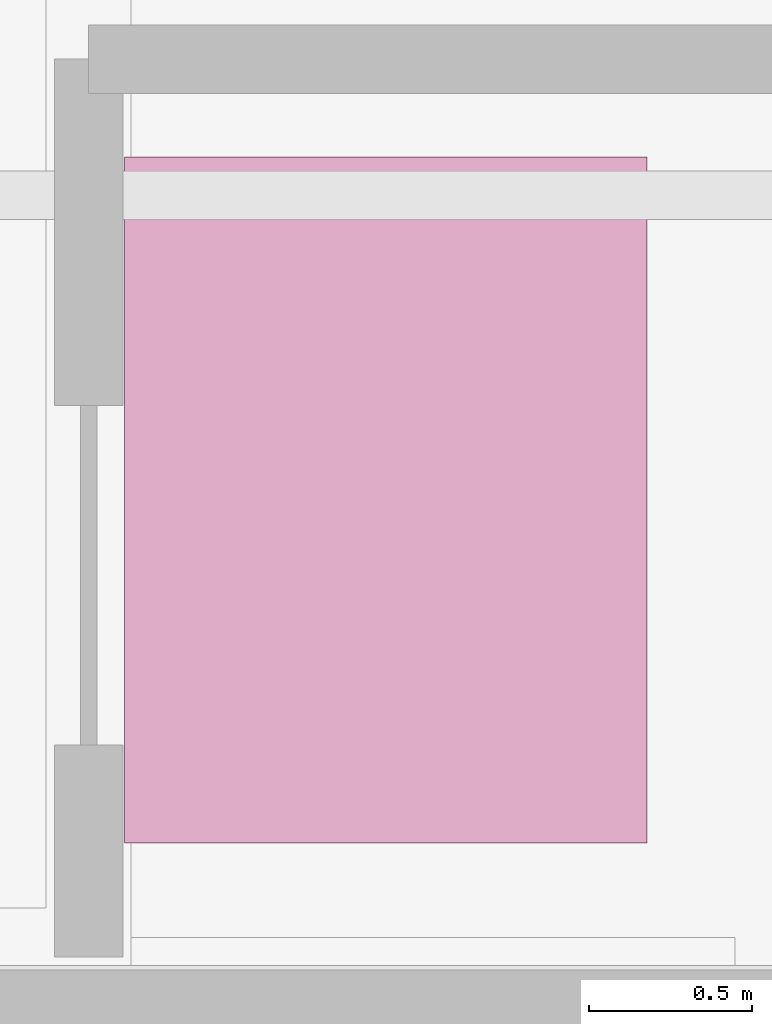
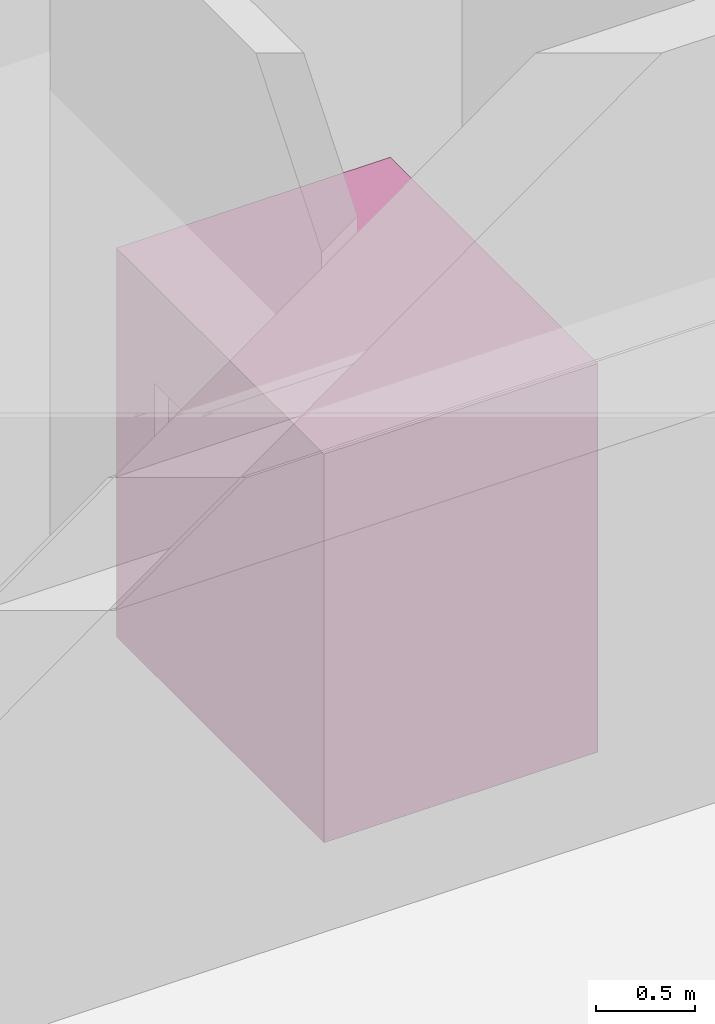
# One storey, part 161 of 161: 1 transport element.
"""IFC4 building model written with IfcOpenShell, lengths in metres."""

from ifc_helpers import new_model, si_unit, direction, frame, origin, origin_2d, place, context, subcontext, project, spatial, rectangle, extrude, material, type_object, element, save


model = new_model("IFC4")

# Units and contexts
model_context = context("Model", 3, precision=1e-05, world=origin(), true_north=direction((0.0, 1.0)))
body_context = subcontext(model_context, "Body", "Model", "MODEL_VIEW")
ifc_project = project(units=[si_unit("LENGTHUNIT", "METRE"), si_unit("AREAUNIT", "SQUARE_METRE"), si_unit("VOLUMEUNIT", "CUBIC_METRE"), si_unit("PLANEANGLEUNIT", "RADIAN"), si_unit("MASSUNIT", "GRAM", prefix="KILO")], contexts=[model_context])

# Site, building, storey
site_placement = place(None, origin())
site = spatial("IfcSite", under=ifc_project, at=site_placement, CompositionType="ELEMENT")
building_placement = place(site_placement, origin())
building = spatial("IfcBuilding", under=site, at=building_placement, Name="Caisbarro Railhouse Central Library", CompositionType="ELEMENT")
storey_placement = place(building_placement, origin())
storey = spatial("IfcBuildingStorey", under=building, at=storey_placement, Name="L00", CompositionType="ELEMENT", Elevation=0.0)

# Transport element
ifc_material = material(Name="Brushed stainless steel elevator cab", Category="steel")
transport_element_type = type_object("IfcTransportElementType", Name="LFT-PS", PredefinedType="ELEVATOR", material=ifc_material)
transport_element_placement = place(storey_placement, frame((133.489990234375, 108.0, 0.0), z_axis=(0.0, 0.0, 1.0), x_axis=(1.0, 0.0, 0.0)))
element("IfcTransportElement", 1, at=transport_element_placement, inside=storey, type_object=transport_element_type, Name="Elevator PL-02", PredefinedType="ELEVATOR", context=body_context, shape_type="SweptSolid", body=[
    extrude(rectangle(XDim=1.60009765625, YDim=2.10009765625, at=origin_2d()), origin(), (0.0, 0.0, 1.0), 2.39990234375),
])

save(model, "model.ifc")
